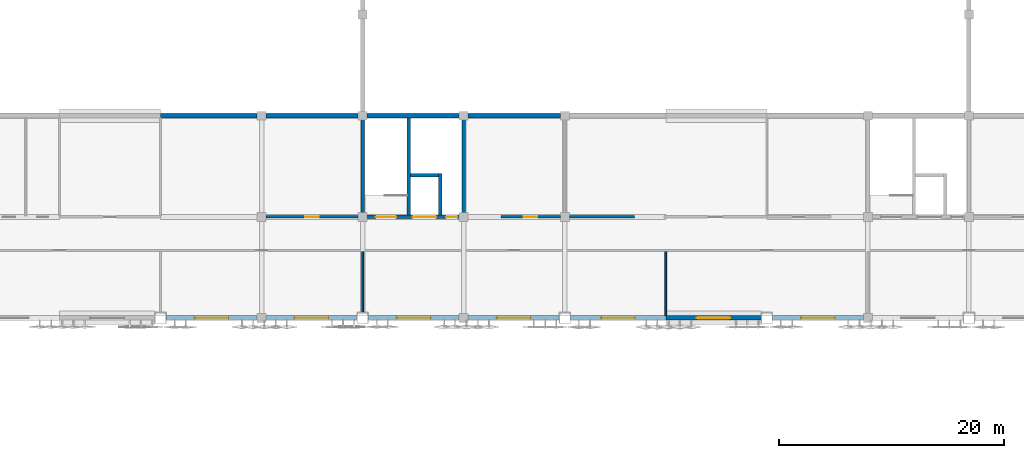
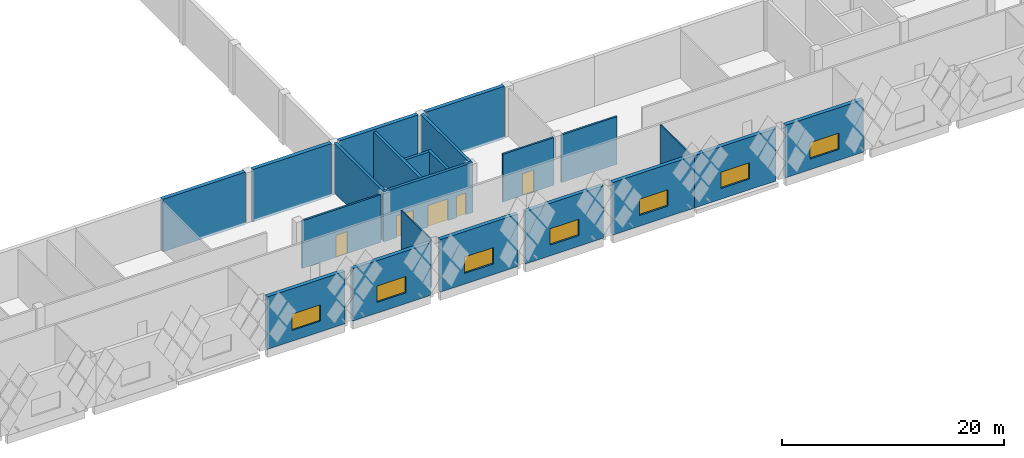
# One storey, part 113 of 185: 22 walls, 7 windows, 5 doors, 12 openings.
"""IFC4 building model written with IfcOpenShell, lengths in metres."""

from ifc_helpers import new_model, si_unit, direction, frame, frame_2d, origin, place, context, subcontext, project, spatial, rectangle, extrude, material, layer, layer_set, type_object, element, fill, save


model = new_model("IFC4")

# Units and contexts
model_context = context("Model", 3, precision=1e-05, world=origin(), true_north=direction((0.0, 1.0)))
body_context = subcontext(model_context, "Body", "Model", "MODEL_VIEW")
ifc_project = project(units=[si_unit("LENGTHUNIT", "METRE"), si_unit("AREAUNIT", "SQUARE_METRE"), si_unit("VOLUMEUNIT", "CUBIC_METRE"), si_unit("PLANEANGLEUNIT", "RADIAN"), si_unit("MASSUNIT", "GRAM", prefix="KILO")], contexts=[model_context])

# Site, building, storey
site_placement = place(None, origin())
site = spatial("IfcSite", under=ifc_project, at=site_placement, CompositionType="ELEMENT")
building_placement = place(site_placement, origin())
building = spatial("IfcBuilding", under=site, at=building_placement, Name="Opaline Strait Convention Centre", CompositionType="ELEMENT")
storey_placement = place(building_placement, frame((0.0, 0.0, 6.0)))
storey = spatial("IfcBuildingStorey", under=building, at=storey_placement, Name="L01", CompositionType="ELEMENT", Elevation=6.0)

# Wall, opening, window
ifc_material_1 = material(Name="Concrete C40", Category="concrete")
ifc_layer_1 = layer(ifc_material_1, 0.25)
ifc_material_2 = material(Name="Mineral wool insulation")
ifc_layer_2 = layer(ifc_material_2, 0.10009765625)
ifc_material_3 = material(Name="Gypsum board lining")
ifc_layer_3 = layer(ifc_material_3, 0.050048828125)
ifc_layer_set_1 = layer_set([ifc_layer_1, ifc_layer_2, ifc_layer_3], Name="Concrete C40, Mineral wool insulation, Gypsum board lining")
wall_type_1 = type_object("IfcWallType", Name="External wall RC 400 insulated", PredefinedType="SOLIDWALL", material=ifc_layer_set_1)
wall_1_placement = place(storey_placement, frame((135.5, 54.0, -0.280029296875), z_axis=(0.0, 0.0, 1.0), x_axis=(1.0, 0.0, 0.0)))
wall_1 = element("IfcWall", 1, at=wall_1_placement, inside=storey, type_object=wall_type_1, Name="External wall S5", PredefinedType="SOLIDWALL", context=body_context, shape_type="SweptSolid", body=[
    extrude(rectangle(XDim=8.10009765625, YDim=0.39990234375, at=frame_2d((4.050048828125, 0.0))), origin(), (0.0, 0.0, 1.0), 5.780029296875),
])
opening_1_placement = place(wall_1_placement, frame((2.550048828125, 0.0, 1.179931640625)))
opening_1 = element("IfcOpeningElement", 2, at=opening_1_placement, cuts=wall_1, Name="Opening XWN2", PredefinedType="OPENING", context=body_context, shape_type="SweptSolid", body=[
    extrude(rectangle(XDim=3.0, YDim=1.800048828125, at=frame_2d((1.5, 0.89990234375))), frame((0.0, 0.2099609375, 0.0), z_axis=(0.0, -1.0, 0.0), x_axis=(1.0, 0.0, 0.0)), (0.0, 0.0, 1.0), 0.419921875),
])
ifc_material_4 = material(Name="Double glazed unit low emissivity", Category="glass")
window_type = type_object("IfcWindowType", Name="Strip window 3000 x 1800", PartitioningType="TRIPLE_PANEL_VERTICAL", PredefinedType="WINDOW", material=ifc_material_4)
window_1_placement = place(opening_1_placement, origin())
window_1 = element("IfcWindow", 3, at=window_1_placement, inside=storey, type_object=window_type, Name="Strip window 5", OverallHeight=1.800048828125, OverallWidth=3.0, PartitioningType="TRIPLE_PANEL_VERTICAL", PredefinedType="WINDOW", context=body_context, shape_type="SweptSolid", body=[
    extrude(rectangle(XDim=3.0, YDim=1.800048828125, at=frame_2d((1.5, 0.89990234375))), frame((0.0, 0.030029296875, 0.0), z_axis=(0.0, -1.0, 0.0), x_axis=(1.0, 0.0, 0.0)), (0.0, 0.0, 1.0), 0.06005859375),
])
fill(opening_1, window_1)

wall_2_placement = place(storey_placement, frame((144.39990234375, 54.0, -0.280029296875), z_axis=(0.0, 0.0, 1.0), x_axis=(1.0, 0.0, 0.0)))
wall_2 = element("IfcWall", 4, at=wall_2_placement, inside=storey, type_object=wall_type_1, Name="External wall S6", PredefinedType="SOLIDWALL", context=body_context, shape_type="SweptSolid", body=[
    extrude(rectangle(XDim=8.10009765625, YDim=0.39990234375, at=frame_2d((4.050048828125, 0.0))), origin(), (0.0, 0.0, 1.0), 5.780029296875),
])
opening_2_placement = place(wall_2_placement, frame((2.550048828125, 0.0, 1.179931640625)))
opening_2 = element("IfcOpeningElement", 5, at=opening_2_placement, cuts=wall_2, Name="Opening XWN2", PredefinedType="OPENING", context=body_context, shape_type="SweptSolid", body=[
    extrude(rectangle(XDim=3.0, YDim=1.800048828125, at=frame_2d((1.5, 0.89990234375))), frame((0.0, 0.2099609375, 0.0), z_axis=(0.0, -1.0, 0.0), x_axis=(1.0, 0.0, 0.0)), (0.0, 0.0, 1.0), 0.419921875),
])
window_2_placement = place(opening_2_placement, origin())
window_2 = element("IfcWindow", 6, at=window_2_placement, inside=storey, type_object=window_type, Name="Strip window 6", OverallHeight=1.800048828125, OverallWidth=3.0, PartitioningType="TRIPLE_PANEL_VERTICAL", PredefinedType="WINDOW", context=body_context, shape_type="SweptSolid", body=[
    extrude(rectangle(XDim=3.0, YDim=1.800048828125, at=frame_2d((1.5, 0.89990234375))), frame((0.0, 0.030029296875, 0.0), z_axis=(0.0, -1.0, 0.0), x_axis=(1.0, 0.0, 0.0)), (0.0, 0.0, 1.0), 0.06005859375),
])
fill(opening_2, window_2)

wall_3_placement = place(storey_placement, frame((153.5, 54.0, -0.280029296875), z_axis=(0.0, 0.0, 1.0), x_axis=(1.0, 0.0, 0.0)))
wall_3 = element("IfcWall", 7, at=wall_3_placement, inside=storey, type_object=wall_type_1, Name="External wall S7", PredefinedType="SOLIDWALL", context=body_context, shape_type="SweptSolid", body=[
    extrude(rectangle(XDim=8.10009765625, YDim=0.39990234375, at=frame_2d((4.050048828125, 0.0))), origin(), (0.0, 0.0, 1.0), 5.780029296875),
])
opening_3_placement = place(wall_3_placement, frame((2.550048828125, 0.0, 1.179931640625)))
opening_3 = element("IfcOpeningElement", 8, at=opening_3_placement, cuts=wall_3, Name="Opening XWN2", PredefinedType="OPENING", context=body_context, shape_type="SweptSolid", body=[
    extrude(rectangle(XDim=3.0, YDim=1.800048828125, at=frame_2d((1.5, 0.89990234375))), frame((0.0, 0.2099609375, 0.0), z_axis=(0.0, -1.0, 0.0), x_axis=(1.0, 0.0, 0.0)), (0.0, 0.0, 1.0), 0.419921875),
])
window_3_placement = place(opening_3_placement, origin())
window_3 = element("IfcWindow", 9, at=window_3_placement, inside=storey, type_object=window_type, Name="Strip window 7", OverallHeight=1.800048828125, OverallWidth=3.0, PartitioningType="TRIPLE_PANEL_VERTICAL", PredefinedType="WINDOW", context=body_context, shape_type="SweptSolid", body=[
    extrude(rectangle(XDim=3.0, YDim=1.800048828125, at=frame_2d((1.5, 0.89990234375))), frame((0.0, 0.030029296875, 0.0), z_axis=(0.0, -1.0, 0.0), x_axis=(1.0, 0.0, 0.0)), (0.0, 0.0, 1.0), 0.06005859375),
])
fill(opening_3, window_3)

wall_4_placement = place(storey_placement, frame((162.39990234375, 54.0, -0.280029296875), z_axis=(0.0, 0.0, 1.0), x_axis=(1.0, 0.0, 0.0)))
wall_4 = element("IfcWall", 10, at=wall_4_placement, inside=storey, type_object=wall_type_1, Name="External wall S8", PredefinedType="SOLIDWALL", context=body_context, shape_type="SweptSolid", body=[
    extrude(rectangle(XDim=8.10009765625, YDim=0.39990234375, at=frame_2d((4.050048828125, 0.0))), origin(), (0.0, 0.0, 1.0), 5.780029296875),
])
opening_4_placement = place(wall_4_placement, frame((2.550048828125, 0.0, 1.179931640625)))
opening_4 = element("IfcOpeningElement", 11, at=opening_4_placement, cuts=wall_4, Name="Opening XWN2", PredefinedType="OPENING", context=body_context, shape_type="SweptSolid", body=[
    extrude(rectangle(XDim=3.0, YDim=1.800048828125, at=frame_2d((1.5, 0.89990234375))), frame((0.0, 0.2099609375, 0.0), z_axis=(0.0, -1.0, 0.0), x_axis=(1.0, 0.0, 0.0)), (0.0, 0.0, 1.0), 0.419921875),
])
window_4_placement = place(opening_4_placement, origin())
window_4 = element("IfcWindow", 12, at=window_4_placement, inside=storey, type_object=window_type, Name="Strip window 8", OverallHeight=1.800048828125, OverallWidth=3.0, PartitioningType="TRIPLE_PANEL_VERTICAL", PredefinedType="WINDOW", context=body_context, shape_type="SweptSolid", body=[
    extrude(rectangle(XDim=3.0, YDim=1.800048828125, at=frame_2d((1.5, 0.89990234375))), frame((0.0, 0.030029296875, 0.0), z_axis=(0.0, -1.0, 0.0), x_axis=(1.0, 0.0, 0.0)), (0.0, 0.0, 1.0), 0.06005859375),
])
fill(opening_4, window_4)

wall_5_placement = place(storey_placement, frame((171.5, 54.0, -0.280029296875), z_axis=(0.0, 0.0, 1.0), x_axis=(1.0, 0.0, 0.0)))
wall_5 = element("IfcWall", 13, at=wall_5_placement, inside=storey, type_object=wall_type_1, Name="External wall S9", PredefinedType="SOLIDWALL", context=body_context, shape_type="SweptSolid", body=[
    extrude(rectangle(XDim=8.5, YDim=0.39990234375, at=frame_2d((4.25, 0.0))), origin(), (0.0, 0.0, 1.0), 5.780029296875),
])
opening_5_placement = place(wall_5_placement, frame((2.75, 0.0, 1.179931640625)))
opening_5 = element("IfcOpeningElement", 14, at=opening_5_placement, cuts=wall_5, Name="Opening XWN2", PredefinedType="OPENING", context=body_context, shape_type="SweptSolid", body=[
    extrude(rectangle(XDim=3.0, YDim=1.800048828125, at=frame_2d((1.5, 0.89990234375))), frame((0.0, 0.2099609375, 0.0), z_axis=(0.0, -1.0, 0.0), x_axis=(1.0, 0.0, 0.0)), (0.0, 0.0, 1.0), 0.419921875),
])
window_5_placement = place(opening_5_placement, origin())
window_5 = element("IfcWindow", 15, at=window_5_placement, inside=storey, type_object=window_type, Name="Strip window 9", OverallHeight=1.800048828125, OverallWidth=3.0, PartitioningType="TRIPLE_PANEL_VERTICAL", PredefinedType="WINDOW", context=body_context, shape_type="SweptSolid", body=[
    extrude(rectangle(XDim=3.0, YDim=1.800048828125, at=frame_2d((1.5, 0.89990234375))), frame((0.0, 0.030029296875, 0.0), z_axis=(0.0, -1.0, 0.0), x_axis=(1.0, 0.0, 0.0)), (0.0, 0.0, 1.0), 0.06005859375),
])
fill(opening_5, window_5)

wall_6_placement = place(storey_placement, frame((180.0, 54.0, -0.280029296875), z_axis=(0.0, 0.0, 1.0), x_axis=(1.0, 0.0, 0.0)))
wall_6 = element("IfcWall", 16, at=wall_6_placement, inside=storey, type_object=wall_type_1, Name="External wall S10", PredefinedType="SOLIDWALL", context=body_context, shape_type="SweptSolid", body=[
    extrude(rectangle(XDim=8.5, YDim=0.39990234375, at=frame_2d((4.25, 0.0))), origin(), (0.0, 0.0, 1.0), 5.780029296875),
])
opening_6_placement = place(wall_6_placement, frame((2.75, 0.0, 1.179931640625)))
opening_6 = element("IfcOpeningElement", 17, at=opening_6_placement, cuts=wall_6, Name="Opening XWN2", PredefinedType="OPENING", context=body_context, shape_type="SweptSolid", body=[
    extrude(rectangle(XDim=3.0, YDim=1.800048828125, at=frame_2d((1.5, 0.89990234375))), frame((0.0, 0.2099609375, 0.0), z_axis=(0.0, -1.0, 0.0), x_axis=(1.0, 0.0, 0.0)), (0.0, 0.0, 1.0), 0.419921875),
])
window_6_placement = place(opening_6_placement, origin())
window_6 = element("IfcWindow", 18, at=window_6_placement, inside=storey, type_object=window_type, Name="Strip window 10", OverallHeight=1.800048828125, OverallWidth=3.0, PartitioningType="TRIPLE_PANEL_VERTICAL", PredefinedType="WINDOW", context=body_context, shape_type="SweptSolid", body=[
    extrude(rectangle(XDim=3.0, YDim=1.800048828125, at=frame_2d((1.5, 0.89990234375))), frame((0.0, 0.030029296875, 0.0), z_axis=(0.0, -1.0, 0.0), x_axis=(1.0, 0.0, 0.0)), (0.0, 0.0, 1.0), 0.06005859375),
])
fill(opening_6, window_6)

wall_7_placement = place(storey_placement, frame((189.5, 54.0, -0.280029296875), z_axis=(0.0, 0.0, 1.0), x_axis=(1.0, 0.0, 0.0)))
wall_7 = element("IfcWall", 19, at=wall_7_placement, inside=storey, type_object=wall_type_1, Name="External wall S11", PredefinedType="SOLIDWALL", context=body_context, shape_type="SweptSolid", body=[
    extrude(rectangle(XDim=8.10009765625, YDim=0.39990234375, at=frame_2d((4.050048828125, 0.0))), origin(), (0.0, 0.0, 1.0), 5.780029296875),
])
opening_7_placement = place(wall_7_placement, frame((2.550048828125, 0.0, 1.179931640625)))
opening_7 = element("IfcOpeningElement", 20, at=opening_7_placement, cuts=wall_7, Name="Opening XWN2", PredefinedType="OPENING", context=body_context, shape_type="SweptSolid", body=[
    extrude(rectangle(XDim=3.0, YDim=1.800048828125, at=frame_2d((1.5, 0.89990234375))), frame((0.0, 0.2099609375, 0.0), z_axis=(0.0, -1.0, 0.0), x_axis=(1.0, 0.0, 0.0)), (0.0, 0.0, 1.0), 0.419921875),
])
window_7_placement = place(opening_7_placement, origin())
window_7 = element("IfcWindow", 21, at=window_7_placement, inside=storey, type_object=window_type, Name="Strip window 11", OverallHeight=1.800048828125, OverallWidth=3.0, PartitioningType="TRIPLE_PANEL_VERTICAL", PredefinedType="WINDOW", context=body_context, shape_type="SweptSolid", body=[
    extrude(rectangle(XDim=3.0, YDim=1.800048828125, at=frame_2d((1.5, 0.89990234375))), frame((0.0, 0.030029296875, 0.0), z_axis=(0.0, -1.0, 0.0), x_axis=(1.0, 0.0, 0.0)), (0.0, 0.0, 1.0), 0.06005859375),
])
fill(opening_7, window_7)

# Walls
ifc_layer_4 = layer(ifc_material_1, 0.300048828125)
ifc_material_5 = material(Name="Cement plaster")
ifc_layer_5 = layer(ifc_material_5, 0.050048828125)
ifc_layer_6 = layer(ifc_material_5, 0.050048828125)
ifc_layer_set_2 = layer_set([ifc_layer_4, ifc_layer_5, ifc_layer_6], Name="Concrete C40, Cement plaster, Cement plaster")
wall_type_2 = type_object("IfcWallType", Name="Hall compartment wall 400", PredefinedType="SOLIDWALL", material=ifc_layer_set_2)
wall_8_placement = place(storey_placement, frame((135.0, 72.0, -0.280029296875), z_axis=(0.0, 0.0, 1.0), x_axis=(1.0, 0.0, 0.0)))
element("IfcWall", 22, at=wall_8_placement, inside=storey, type_object=wall_type_2, Name="Hall south wall", PredefinedType="SOLIDWALL", context=body_context, shape_type="SweptSolid", body=[
    extrude(rectangle(XDim=8.60009765625, YDim=0.39990234375, at=frame_2d((4.300048828125, 0.0))), origin(), (0.0, 0.0, 1.0), 5.780029296875),
])
for number, where, z_axis, x_axis, name in (
    (23, (144.39990234375, 72.0, -0.280029296875), (0.0, 0.0, 1.0), (1.0, 0.0, 0.0), "Hall south wall"),
    (24, (153.39990234375, 72.0, -0.280029296875), (0.0, 0.0, 1.0), (1.0, 0.0, 0.0), "Hall south wall"),
    (25, (162.39990234375, 72.0, -0.280029296875), (0.0, 0.0, 1.0), (1.0, 0.0, 0.0), "Hall south wall"),
):
    element("IfcWall", number, at=place(storey_placement, frame(where, z_axis=z_axis, x_axis=x_axis)), inside=storey, type_object=wall_type_2, Name=name, PredefinedType="SOLIDWALL", context=body_context, shape_type="SweptSolid", body=[
        extrude(rectangle(XDim=8.2001953125, YDim=0.39990234375, at=frame_2d((4.10009765625, 0.0))), origin(), (0.0, 0.0, 1.0), 5.780029296875),
    ])
ifc_layer_7 = layer(ifc_material_1, 0.300048828125)
ifc_layer_set_3 = layer_set([ifc_layer_7], Name="Concrete C40")
wall_type_3 = type_object("IfcWallType", Name="Lift shaft wall RC 300 C40", PredefinedType="SHEAR", material=ifc_layer_set_3)
wall_9_placement = place(storey_placement, frame((157.10009765625, 63.14990234375, 0.0), z_axis=(0.0, 0.0, 1.0), x_axis=(0.0, 1.0, 0.0)))
element("IfcWall", 26, at=wall_9_placement, inside=storey, type_object=wall_type_3, Name="EXB-LS-2-W1-L01", PredefinedType="SHEAR", context=body_context, shape_type="SweptSolid", body=[
    extrude(rectangle(XDim=8.650146484375, YDim=0.300048828125, at=frame_2d((4.3251953125, 0.0))), origin(), (0.0, 0.0, 1.0), 5.25),
])
wall_10_placement = place(storey_placement, frame((159.89990234375, 63.14990234375, 0.0), z_axis=(0.0, 0.0, 1.0), x_axis=(0.0, 1.0, 0.0)))
element("IfcWall", 27, at=wall_10_placement, inside=storey, type_object=wall_type_3, Name="EXB-LS-2-W2-L01", PredefinedType="SHEAR", context=body_context, shape_type="SweptSolid", body=[
    extrude(rectangle(XDim=3.7001953125, YDim=0.300048828125, at=frame_2d((1.85009765625, 0.0))), origin(), (0.0, 0.0, 1.0), 5.25),
])
wall_11_placement = place(storey_placement, frame((157.25, 66.699951171875, 0.0), z_axis=(0.0, 0.0, 1.0), x_axis=(1.0, 0.0, 0.0)))
element("IfcWall", 28, at=wall_11_placement, inside=storey, type_object=wall_type_3, Name="EXB-LS-2-N-L01", PredefinedType="SHEAR", context=body_context, shape_type="SweptSolid", body=[
    extrude(rectangle(XDim=2.5, YDim=0.300048828125, at=frame_2d((1.25, 0.0))), origin(), (0.0, 0.0, 1.0), 5.25),
])
ifc_material_6 = material(Name="Lightweight blockwork", Category="masonry")
ifc_layer_8 = layer(ifc_material_6, 0.14990234375)
ifc_layer_set_4 = layer_set([ifc_layer_8], Name="Lightweight blockwork")
wall_type_4 = type_object("IfcWallType", Name="Partition EI 45 blockwork 150", PredefinedType="PARTITIONING", material=ifc_layer_set_4)
wall_12_placement = place(storey_placement, frame((153.0, 54.5, 0.0), z_axis=(0.0, 0.0, 1.0), x_axis=(0.0, 1.0, 0.0)))
element("IfcWall", 29, at=wall_12_placement, inside=storey, type_object=wall_type_4, Name="Mezzanine room partition", PredefinedType="PARTITIONING", context=body_context, shape_type="SweptSolid", body=[
    extrude(rectangle(XDim=5.39990234375, YDim=0.14990234375, at=frame_2d((2.699951171875, 0.0))), origin(), (0.0, 0.0, 1.0), 5.25),
])
wall_13_placement = place(storey_placement, frame((180.0, 54.199951171875, 0.0), z_axis=(0.0, 0.0, 1.0), x_axis=(0.0, 1.0, 0.0)))
element("IfcWall", 30, at=wall_13_placement, inside=storey, type_object=wall_type_4, Name="Mezzanine room partition", PredefinedType="PARTITIONING", context=body_context, shape_type="SweptSolid", body=[
    extrude(rectangle(XDim=5.699951171875, YDim=0.14990234375, at=frame_2d((2.85009765625, 0.0))), origin(), (0.0, 0.0, 1.0), 5.25),
])

# Wall, opening, door
ifc_layer_9 = layer(ifc_material_6, 0.199951171875)
ifc_layer_set_5 = layer_set([ifc_layer_9], Name="Lightweight blockwork")
wall_type_5 = type_object("IfcWallType", Name="Partition EI 60 blockwork 200", PredefinedType="PARTITIONING", material=ifc_layer_set_5)
wall_14_placement = place(storey_placement, frame((144.39990234375, 63.0, 0.0), z_axis=(0.0, 0.0, 1.0), x_axis=(1.0, 0.0, 0.0)))
wall_14 = element("IfcWall", 31, at=wall_14_placement, inside=storey, type_object=wall_type_5, Name="Mezzanine corridor north wall", PredefinedType="PARTITIONING", context=body_context, shape_type="SweptSolid", body=[
    extrude(rectangle(XDim=8.2001953125, YDim=0.199951171875, at=frame_2d((4.10009765625, 0.0))), origin(), (0.0, 0.0, 1.0), 5.25),
])
opening_8_placement = place(wall_14_placement, frame((3.5, 0.0, 0.014892578125)))
opening_8 = element("IfcOpeningElement", 32, at=opening_8_placement, cuts=wall_14, Name="Opening X1-022", PredefinedType="OPENING", context=body_context, shape_type="SweptSolid", body=[
    extrude(rectangle(XDim=1.199951171875, YDim=2.39990234375, at=frame_2d((0.60009765625, 1.199951171875))), frame((0.0, 0.10986328125, 0.0), z_axis=(0.0, -1.0, 0.0), x_axis=(1.0, 0.0, 0.0)), (0.0, 0.0, 1.0), 0.219970703125),
])
ifc_material_7 = material(Name="Steel Q235B", Category="steel")
door_type_1 = type_object("IfcDoorType", Name="Plant door FD60 1200 x 2400", OperationType="SINGLE_SWING_LEFT", PredefinedType="DOOR", material=ifc_material_7)
door_1_placement = place(opening_8_placement, origin())
door_1 = element("IfcDoor", 33, at=door_1_placement, inside=storey, type_object=door_type_1, Name="Hall Air-handling Plant 1.14 door", ObjectType="XD9", OperationType="SINGLE_SWING_RIGHT", OverallHeight=2.39990234375, OverallWidth=1.199951171875, PredefinedType="DOOR", context=body_context, shape_type="SweptSolid", body=[
    extrude(rectangle(XDim=1.199951171875, YDim=2.39990234375, at=frame_2d((0.60009765625, 1.199951171875))), frame((0.0, 0.02490234375, 0.0), z_axis=(0.0, -1.0, 0.0), x_axis=(1.0, 0.0, 0.0)), (0.0, 0.0, 1.0), 0.050048828125),
])
fill(opening_8, door_1)

wall_15_placement = place(storey_placement, frame((165.300048828125, 63.0, 0.0), z_axis=(0.0, 0.0, 1.0), x_axis=(1.0, 0.0, 0.0)))
wall_15 = element("IfcWall", 34, at=wall_15_placement, inside=storey, type_object=wall_type_5, Name="Mezzanine corridor north wall", PredefinedType="PARTITIONING", context=body_context, shape_type="SweptSolid", body=[
    extrude(rectangle(XDim=5.300048828125, YDim=0.199951171875, at=frame_2d((2.64990234375, 0.0))), origin(), (0.0, 0.0, 1.0), 5.25),
])
opening_9_placement = place(wall_15_placement, frame((2.050048828125, 0.0, 0.014892578125)))
opening_9 = element("IfcOpeningElement", 35, at=opening_9_placement, cuts=wall_15, Name="Opening X1-023", PredefinedType="OPENING", context=body_context, shape_type="SweptSolid", body=[
    extrude(rectangle(XDim=1.199951171875, YDim=2.39990234375, at=frame_2d((0.60009765625, 1.199951171875))), frame((0.0, 0.10986328125, 0.0), z_axis=(0.0, -1.0, 0.0), x_axis=(1.0, 0.0, 0.0)), (0.0, 0.0, 1.0), 0.219970703125),
])
door_2_placement = place(opening_9_placement, origin())
door_2 = element("IfcDoor", 36, at=door_2_placement, inside=storey, type_object=door_type_1, Name="Hall Electrical Plant 1.15 door", ObjectType="XD9", OperationType="SINGLE_SWING_RIGHT", OverallHeight=2.39990234375, OverallWidth=1.199951171875, PredefinedType="DOOR", context=body_context, shape_type="SweptSolid", body=[
    extrude(rectangle(XDim=1.199951171875, YDim=2.39990234375, at=frame_2d((0.60009765625, 1.199951171875))), frame((0.0, 0.02490234375, 0.0), z_axis=(0.0, -1.0, 0.0), x_axis=(1.0, 0.0, 0.0)), (0.0, 0.0, 1.0), 0.050048828125),
])
fill(opening_9, door_2)

# Wall
wall_16_placement = place(storey_placement, frame((171.39990234375, 63.0, 0.0), z_axis=(0.0, 0.0, 1.0), x_axis=(1.0, 0.0, 0.0)))
element("IfcWall", 37, at=wall_16_placement, inside=storey, type_object=wall_type_5, Name="Mezzanine corridor north wall", PredefinedType="PARTITIONING", context=body_context, shape_type="SweptSolid", body=[
    extrude(rectangle(XDim=5.800048828125, YDim=0.199951171875, at=frame_2d((2.89990234375, 0.0))), origin(), (0.0, 0.0, 1.0), 5.25),
])

# Wall, openings, doors
ifc_layer_10 = layer(ifc_material_1, 0.300048828125)
ifc_layer_set_6 = layer_set([ifc_layer_10], Name="Concrete C40")
wall_type_6 = type_object("IfcWallType", Name="RC core wall 300 C40", PredefinedType="SHEAR", material=ifc_layer_set_6)
wall_17_placement = place(storey_placement, frame((152.85009765625, 63.0, 0.0), z_axis=(0.0, 0.0, 1.0), x_axis=(1.0, 0.0, 0.0)))
wall_17 = element("IfcWall", 38, at=wall_17_placement, inside=storey, type_object=wall_type_6, Name="Core 2 wall S", PredefinedType="SHEAR", context=body_context, shape_type="SweptSolid", body=[
    extrude(rectangle(XDim=9.2998046875, YDim=0.300048828125, at=frame_2d((4.64990234375, 0.0))), origin(), (0.0, 0.0, 1.0), 5.5),
])
opening_10_placement = place(wall_17_placement, frame((1.324951171875, 0.0, 0.0)))
opening_10 = element("IfcOpeningElement", 39, at=opening_10_placement, cuts=wall_17, Name="Opening X1-003", PredefinedType="OPENING", context=body_context, shape_type="SweptSolid", body=[
    extrude(rectangle(XDim=1.800048828125, YDim=2.39990234375, at=frame_2d((0.89990234375, 1.199951171875))), frame((0.0, 0.159912109375, 0.0), z_axis=(0.0, -1.0, 0.0), x_axis=(1.0, 0.0, 0.0)), (0.0, 0.0, 1.0), 0.320068359375),
])
opening_11_placement = place(wall_17_placement, frame((4.60009765625, 0.0, 0.0)))
opening_11 = element("IfcOpeningElement", 40, at=opening_11_placement, cuts=wall_17, Name="Opening XLD2-1", PredefinedType="OPENING", context=body_context, shape_type="SweptSolid", body=[
    extrude(rectangle(XDim=2.10009765625, YDim=2.39990234375, at=frame_2d((1.050048828125, 1.199951171875))), frame((0.0, 0.159912109375, 0.0), z_axis=(0.0, -1.0, 0.0), x_axis=(1.0, 0.0, 0.0)), (0.0, 0.0, 1.0), 0.320068359375),
])
opening_12_placement = place(wall_17_placement, frame((7.574951171875, 0.0, 0.0)))
opening_12 = element("IfcOpeningElement", 41, at=opening_12_placement, cuts=wall_17, Name="Opening X1-004", PredefinedType="OPENING", context=body_context, shape_type="SweptSolid", body=[
    extrude(rectangle(XDim=1.0, YDim=2.39990234375, at=frame_2d((0.5, 1.199951171875))), frame((0.0, 0.159912109375, 0.0), z_axis=(0.0, -1.0, 0.0), x_axis=(1.0, 0.0, 0.0)), (0.0, 0.0, 1.0), 0.320068359375),
])
ifc_material_8 = material(Name="Stainless steel 304", Category="steel")
door_type_2 = type_object("IfcDoorType", Name="Lift landing door 2100 x 2400", OperationType="DOUBLE_DOOR_SLIDING", PredefinedType="DOOR", material=ifc_material_8)
door_3_placement = place(opening_11_placement, origin())
door_3 = element("IfcDoor", 42, at=door_3_placement, inside=storey, type_object=door_type_2, Name="Goods lift 2 landing door L01", ObjectType="XLD", OperationType="DOUBLE_DOOR_SLIDING", OverallHeight=2.39990234375, OverallWidth=2.10009765625, PredefinedType="DOOR", context=body_context, shape_type="SweptSolid", body=[
    extrude(rectangle(XDim=2.10009765625, YDim=2.39990234375, at=frame_2d((1.050048828125, 1.199951171875))), frame((0.0, 0.02490234375, 0.0), z_axis=(0.0, -1.0, 0.0), x_axis=(1.0, 0.0, 0.0)), (0.0, 0.0, 1.0), 0.050048828125),
])
fill(opening_11, door_3)
door_type_3 = type_object("IfcDoorType", Name="Single door FD30 1000 x 2400", OperationType="SINGLE_SWING_LEFT", PredefinedType="DOOR", material=ifc_material_7)
door_4_placement = place(opening_12_placement, origin())
door_4 = element("IfcDoor", 43, at=door_4_placement, inside=storey, type_object=door_type_3, Name="Services riser 2 door L01", ObjectType="XD8", OperationType="SINGLE_SWING_RIGHT", OverallHeight=2.39990234375, OverallWidth=1.0, PredefinedType="DOOR", context=body_context, shape_type="SweptSolid", body=[
    extrude(rectangle(XDim=1.0, YDim=2.39990234375, at=frame_2d((0.5, 1.199951171875))), frame((0.0, 0.02490234375, 0.0), z_axis=(0.0, -1.0, 0.0), x_axis=(1.0, 0.0, 0.0)), (0.0, 0.0, 1.0), 0.050048828125),
])
fill(opening_12, door_4)
door_type_4 = type_object("IfcDoorType", Name="Stair door pair FD60 1800 x 2400", OperationType="DOUBLE_DOOR_SINGLE_SWING", PredefinedType="DOOR", material=ifc_material_7)
door_5_placement = place(opening_10_placement, frame((1.800048828125, 0.0, 0.0), z_axis=(0.0, 0.0, 1.0), x_axis=(-1.0, 0.0, 0.0)))
door_5 = element("IfcDoor", 44, at=door_5_placement, inside=storey, type_object=door_type_4, Name="Stair 2 door L01", ObjectType="XD7", OperationType="DOUBLE_DOOR_SINGLE_SWING", OverallHeight=2.39990234375, OverallWidth=1.800048828125, PredefinedType="DOOR", context=body_context, shape_type="SweptSolid", body=[
    extrude(rectangle(XDim=1.800048828125, YDim=2.39990234375, at=frame_2d((0.89990234375, 1.199951171875))), frame((0.0, 0.02490234375, 0.0), z_axis=(0.0, -1.0, 0.0), x_axis=(1.0, 0.0, 0.0)), (0.0, 0.0, 1.0), 0.050048828125),
])
fill(opening_10, door_5)

# Walls
for number, where, z_axis, x_axis, name in (
    (45, (153.0, 63.14990234375, 0.0), (0.0, 0.0, 1.0), (0.0, 1.0, 0.0), "Core 2 wall W"),
    (46, (162.0, 63.14990234375, 0.0), (0.0, 0.0, 1.0), (0.0, 1.0, 0.0), "Core 2 wall E"),
):
    element("IfcWall", number, at=place(storey_placement, frame(where, z_axis=z_axis, x_axis=x_axis)), inside=storey, type_object=wall_type_6, Name=name, PredefinedType="SHEAR", context=body_context, shape_type="SweptSolid", body=[
        extrude(rectangle(XDim=8.650146484375, YDim=0.300048828125, at=frame_2d((4.3251953125, 0.0))), origin(), (0.0, 0.0, 1.0), 5.5),
    ])

save(model, "model.ifc")
